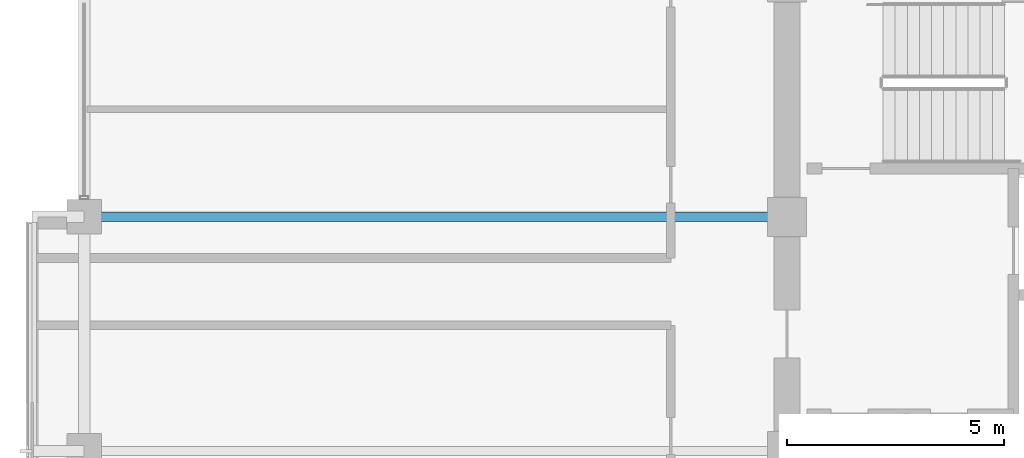
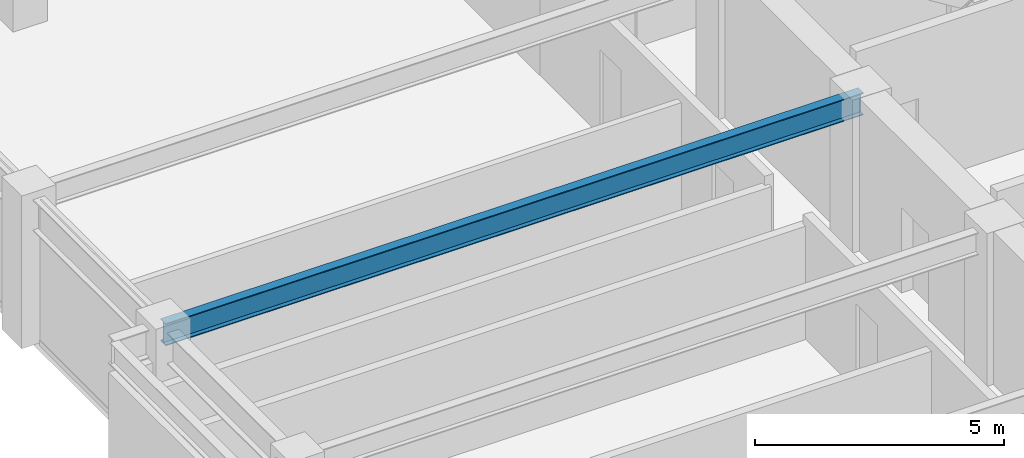
# One storey, part 9 of 30: 1 beam.
"""IFC4 building model written with IfcOpenShell, lengths in metres."""

from ifc_helpers import new_model, si_unit, direction, frame, origin, origin_2d, place, context, subcontext, project, spatial, i_section, extrude, material, material_profile, profile_set, type_object, element, save


model = new_model("IFC4")

# Units and contexts
model_context = context("Model", 3, precision=1e-05, world=origin(), true_north=direction((0.0, 1.0)))
body_context = subcontext(model_context, "Body", "Model", "MODEL_VIEW")
ifc_project = project(units=[si_unit("LENGTHUNIT", "METRE"), si_unit("AREAUNIT", "SQUARE_METRE"), si_unit("VOLUMEUNIT", "CUBIC_METRE"), si_unit("PLANEANGLEUNIT", "RADIAN"), si_unit("MASSUNIT", "GRAM", prefix="KILO")], contexts=[model_context])

# Site, building, storey
site_placement = place(None, origin())
site = spatial("IfcSite", under=ifc_project, at=site_placement, CompositionType="ELEMENT")
building_placement = place(site_placement, origin())
building = spatial("IfcBuilding", under=site, at=building_placement, Name="Surkhivell Harbour Commons", CompositionType="ELEMENT")
storey_placement = place(building_placement, frame((0.0, 0.0, 227.25)))
storey = spatial("IfcBuildingStorey", under=building, at=storey_placement, Name="L59", CompositionType="ELEMENT", Elevation=227.25)

# Beam
ifc_material = material(Name="Steel S355", Category="steel")
ifc_material_profile = material_profile(ifc_material, i_section(OverallWidth=0.2119140625, OverallDepth=0.5439453125, WebThickness=0.0126953125, FlangeThickness=0.021240234375, at=origin_2d()), Name="UB533x210x122")
ifc_profile_set = profile_set([ifc_material_profile], Name="Steel S355")
beam_type = type_object("IfcBeamType", Name="BM-GRD-533A", PredefinedType="BEAM", material=ifc_profile_set)
beam_placement = place(storey_placement, frame((-27.0, 5.39990234375, 3.298095703125), z_axis=(1.0, 0.0, 0.0), x_axis=(0.0, 1.0, 0.0)))
element("IfcBeam", 1, at=beam_placement, inside=storey, type_object=beam_type, Name="L59 Floor Girder (-27.0,5.4)", PredefinedType="BEAM", context=body_context, shape_type="SweptSolid", body=[
    extrude(i_section(OverallWidth=0.2119140625, OverallDepth=0.5439453125, WebThickness=0.0126953125, FlangeThickness=0.021240234375, at=origin_2d()), origin(), (0.0, 0.0, 1.0), 16.199951171875),
])

save(model, "model.ifc")
